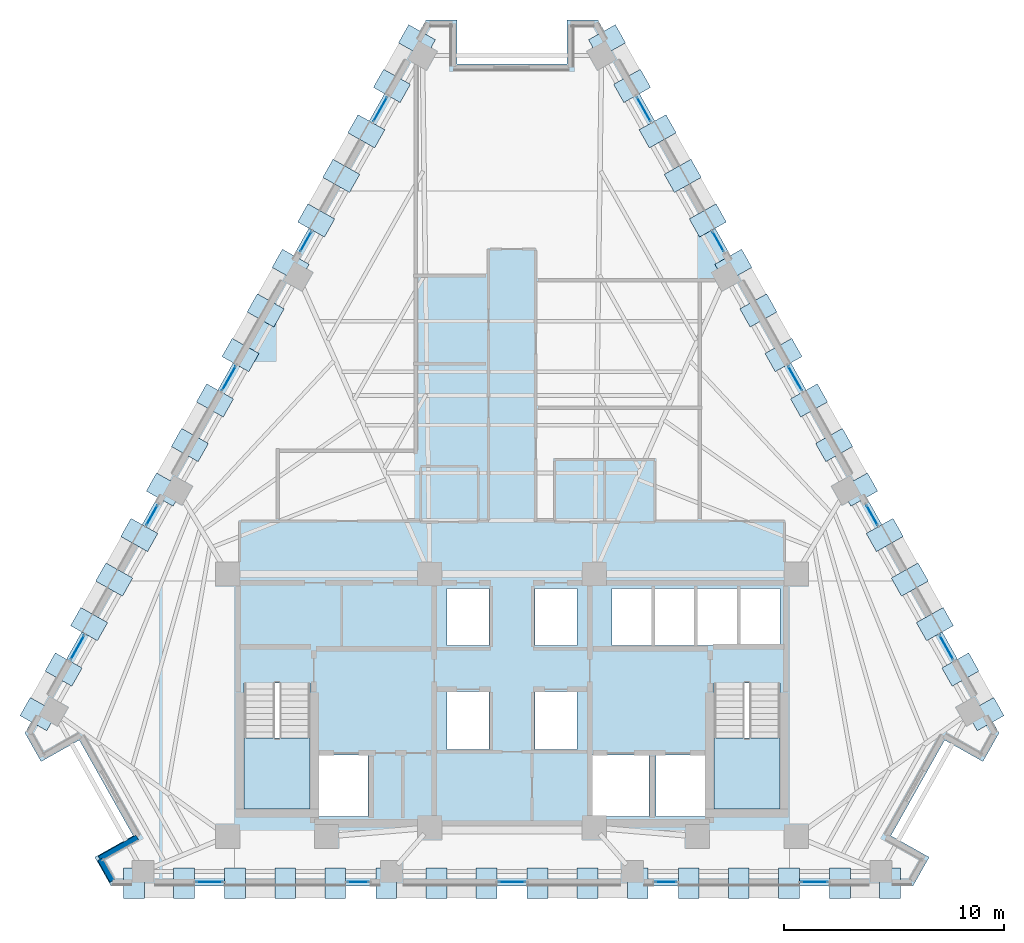
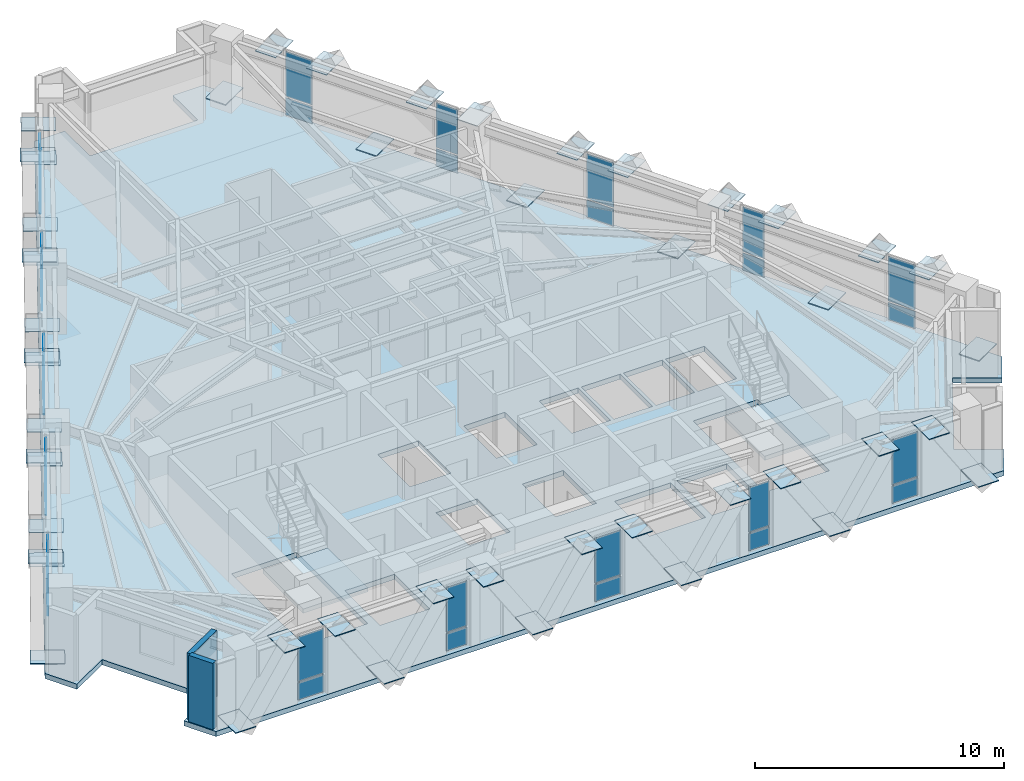
# One storey, part 6 of 13: 78 plates, 3 slabs, 2 walls, 17 elements without a shape of their own.
"""IFC4 building model written with IfcOpenShell, lengths in metres."""

import ifcopenshell
import ifcopenshell.guid

model = None  # the IFC model being written
_history = None  # IfcOwnerHistory: only IFC2X3 demands one
_inside = {}  # id of a spatial element -> (the spatial element, [elements in it])
_under = {}  # id of a project, library or spatial element -> (it, [spatial elements below it])
_declared = {}  # id of a project -> (the project, [libraries it declares])
_typed = {}  # id of a type object -> (the type object, [elements of that type])
_made_of = {}  # id of a material, layer set ... -> (it, [elements and type objects made of it])


def new_model(schema):
    """Start an empty IFC model of exactly this schema.

    Asked for "IFC4X3", IfcOpenShell would pick the latest addendum, in which some entities
    have other attributes; the version numbers below select the first issue.
    IFC2X3 requires an IfcOwnerHistory on every rooted entity: one is made here for all.
    """
    global model, _history
    if schema == "IFC4X3":
        model = ifcopenshell.file(schema_version=(4, 3, 0, 0))
    else:
        model = ifcopenshell.file(schema=schema)
    _inside.clear()
    _under.clear()
    _declared.clear()
    _typed.clear()
    _made_of.clear()
    _history = None
    if model.schema == "IFC2X3":
        org = make("IfcOrganization", Name="unknown")
        user = make(
            "IfcPersonAndOrganization",
            ThePerson=make("IfcPerson", FamilyName="unknown"),
            TheOrganization=org,
        )
        app = make(
            "IfcApplication",
            ApplicationDeveloper=org,
            Version="unknown",
            ApplicationFullName="unknown",
            ApplicationIdentifier="unknown",
        )
        _history = make(
            "IfcOwnerHistory",
            OwningUser=user,
            OwningApplication=app,
            ChangeAction="ADDED",
            CreationDate=0,
        )
    return model


def make(cls, **values):
    """One entity of the class cls with the attributes given. An attribute that is None is left unset."""
    return model.create_entity(
        cls, **{name: value for name, value in values.items() if value is not None}
    )


def rooted(cls, **values):
    """An entity with a GlobalId (a new one), such as an element, a storey or a relation."""
    return make(cls, GlobalId=ifcopenshell.guid.new(), OwnerHistory=_history, **values)


def si_unit(unit_type, name, prefix=None):
    """IfcSIUnit, for example si_unit("LENGTHUNIT", "METRE", prefix="MILLI")."""
    return make("IfcSIUnit", UnitType=unit_type, Prefix=prefix, Name=name)


def assignment(units):
    """IfcUnitAssignment: the units of a project."""
    return None if units is None else make("IfcUnitAssignment", Units=units)


def point(xyz):
    """IfcCartesianPoint."""
    return None if xyz is None else make("IfcCartesianPoint", Coordinates=xyz)


def direction(xyz):
    """IfcDirection."""
    return None if xyz is None else make("IfcDirection", DirectionRatios=xyz)


def frame(location, z_axis=None, x_axis=None):
    """IfcAxis2Placement3D, a coordinate frame: its origin and axes. An axis left out is left unset."""
    return make(
        "IfcAxis2Placement3D",
        Location=point(location),
        Axis=direction(z_axis),
        RefDirection=direction(x_axis),
    )


def frame_2d(location, x_axis=None):
    """IfcAxis2Placement2D, a coordinate frame in the plane: its origin and x axis."""
    return make(
        "IfcAxis2Placement2D", Location=point(location), RefDirection=direction(x_axis)
    )


def origin():
    """The frame at (0, 0, 0) with its axes left unset."""
    return frame((0.0, 0.0, 0.0))


def origin_2d():
    """The frame at (0, 0) in the plane with its x axis left unset."""
    return frame_2d((0.0, 0.0))


def place(relative_to, where):
    """IfcLocalPlacement: puts the frame where relative to a parent placement (None: the world)."""
    return make(
        "IfcLocalPlacement", PlacementRelTo=relative_to, RelativePlacement=where
    )


def context(
    kind, dimensions, precision=None, world=None, true_north=None, identifier=None
):
    """IfcGeometricRepresentationContext, for example the 3D "Model" context."""
    return make(
        "IfcGeometricRepresentationContext",
        ContextIdentifier=identifier,
        ContextType=kind,
        CoordinateSpaceDimension=dimensions,
        Precision=precision,
        WorldCoordinateSystem=world,
        TrueNorth=true_north,
    )


def subcontext(parent, identifier, kind, view, scale=None):
    """IfcGeometricRepresentationSubContext, for example "Body" below "Model"."""
    return make(
        "IfcGeometricRepresentationSubContext",
        ContextIdentifier=identifier,
        ContextType=kind,
        ParentContext=parent,
        TargetScale=scale,
        TargetView=view,
    )


def project(units=None, contexts=None):
    """IfcProject with its units and contexts."""
    return rooted(
        "IfcProject",
        Name="project",
        RepresentationContexts=contexts,
        UnitsInContext=assignment(units),
    )


def spatial(cls, under=None, at=None, **own):
    """A site, building, storey or space (cls), placed at a placement, below another one or the project."""
    s = rooted(cls, ObjectPlacement=at, **own)
    if under is not None:
        _under.setdefault(under.id(), (under, []))[1].append(s)
    return s


def polyline(points):
    """IfcPolyline through the points."""
    return make("IfcPolyline", Points=[point(p) for p in points])


def profile(cls, at=None, kind="AREA", **sizes):
    """A parametric profile (cls). Its sizes go by their IFC names, for example OverallWidth=200.0."""
    return make(cls, ProfileType=kind, Position=at, **sizes)


def rectangle(**sizes):
    """IfcRectangleProfileDef."""
    return profile("IfcRectangleProfileDef", **sizes)


def outline(outer, holes=None, kind="AREA"):
    """IfcArbitraryClosedProfileDef: a profile drawn as a closed curve; with holes, ...WithVoids."""
    if holes is None:
        return make("IfcArbitraryClosedProfileDef", ProfileType=kind, OuterCurve=outer)
    return make(
        "IfcArbitraryProfileDefWithVoids",
        ProfileType=kind,
        OuterCurve=outer,
        InnerCurves=holes,
    )


def extrude(swept, where, along, depth):
    """IfcExtrudedAreaSolid: the profile swept, set in the frame where, extruded along a direction by depth."""
    return make(
        "IfcExtrudedAreaSolid",
        SweptArea=swept,
        Position=where,
        ExtrudedDirection=direction(along),
        Depth=depth,
    )


def shape(context_of_items, identifier, shape_type, items):
    """IfcShapeRepresentation: the items that make up one representation, for example the "Body"."""
    return make(
        "IfcShapeRepresentation",
        ContextOfItems=context_of_items,
        RepresentationIdentifier=identifier,
        RepresentationType=shape_type,
        Items=items,
    )


def material(Name=None, Category=None):
    """IfcMaterial."""
    return make("IfcMaterial", Name=Name, Category=Category)


def layer(
    of_material, thickness, ventilated=None, Name=None, Category=None, Priority=None
):
    """IfcMaterialLayer: one layer of a wall or slab, of a material (None: an air gap)."""
    return make(
        "IfcMaterialLayer",
        Material=of_material,
        LayerThickness=thickness,
        IsVentilated=ventilated,
        Name=Name,
        Category=Category,
        Priority=Priority,
    )


def layer_set(layers, Name=None):
    """IfcMaterialLayerSet."""
    return make("IfcMaterialLayerSet", MaterialLayers=layers, LayerSetName=Name)


def made_of(thing, what):
    """Note that an element or type object is made of a material, layer set ...; save() writes the relation."""
    if what is not None:
        _made_of.setdefault(what.id(), (what, []))[1].append(thing)
    return thing


def type_object(cls, material=None, **own):
    """A type object (cls), such as IfcWallType, which elements share."""
    return made_of(rooted(cls, **own), material)


def element(
    cls,
    number,
    at=None,
    inside=None,
    cuts=None,
    type_object=None,
    material=None,
    context=None,
    identifier="Body",
    shape_type=None,
    held_by="IfcProductDefinitionShape",
    body=None,
    shapes=None,
    **own,
):
    """One element of the class cls, such as IfcWall. Its Tag is "e" and its number.

    at: its placement. inside: the storey or other place that contains it. cuts: it is an
    opening in that element (IfcRelVoidsElement). A single representation is given by context,
    identifier, shape_type and body (its items); several are given by shapes. held_by: the class
    of the entity that holds the representations. save() writes the other relations.
    """
    e = rooted(cls, Tag="e%d" % number, ObjectPlacement=at, **own)
    if body is not None:
        shapes = [shape(context, identifier, shape_type, body)]
    if shapes is not None:
        e.Representation = make(held_by, Representations=shapes)
    if inside is not None:
        _inside.setdefault(inside.id(), (inside, []))[1].append(e)
    if cuts is not None:
        rooted(
            "IfcRelVoidsElement", RelatingBuildingElement=cuts, RelatedOpeningElement=e
        )
    if type_object is not None:
        _typed.setdefault(type_object.id(), (type_object, []))[1].append(e)
    return made_of(e, material)


def aggregate(whole, parts):
    """IfcRelAggregates: a whole, such as a stair, and the parts it consists of."""
    return rooted("IfcRelAggregates", RelatingObject=whole, RelatedObjects=parts)


def save(model, path):
    """Write the relations noted so far, then the file.

    IfcRelAggregates (storeys below a building ...), IfcRelContainedInSpatialStructure (elements
    in a storey), IfcRelDefinesByType, IfcRelAssociatesMaterial and IfcRelDeclares: one each for
    every whole, place, type object, material and project.
    """
    for whole, parts in _under.values():
        aggregate(whole, parts)
    for where, things in _inside.values():
        rooted(
            "IfcRelContainedInSpatialStructure",
            RelatedElements=things,
            RelatingStructure=where,
        )
    for kind, things in _typed.values():
        rooted("IfcRelDefinesByType", RelatedObjects=things, RelatingType=kind)
    for what, things in _made_of.values():
        rooted("IfcRelAssociatesMaterial", RelatedObjects=things, RelatingMaterial=what)
    for by, libraries in _declared.values():
        rooted("IfcRelDeclares", RelatingContext=by, RelatedDefinitions=libraries)
    model.write(path)


model = new_model("IFC4")

# Units and contexts
model_context = context("Model", 3, precision=1e-05, world=origin(), true_north=direction((0.0, 1.0)))
body_context = subcontext(model_context, "Body", "Model", "MODEL_VIEW")
ifc_project = project(units=[si_unit("LENGTHUNIT", "METRE"), si_unit("AREAUNIT", "SQUARE_METRE"), si_unit("VOLUMEUNIT", "CUBIC_METRE"), si_unit("PLANEANGLEUNIT", "RADIAN"), si_unit("MASSUNIT", "GRAM", prefix="KILO")], contexts=[model_context])

# Site, building, storey
site_placement = place(None, origin())
site = spatial("IfcSite", under=ifc_project, at=site_placement, CompositionType="ELEMENT")
building_placement = place(site_placement, origin())
building = spatial("IfcBuilding", under=site, at=building_placement, Name="Quenlor Broadcast Tower", CompositionType="ELEMENT")
storey_placement = place(building_placement, frame((0.0, 0.0, 151.0)))
storey = spatial("IfcBuildingStorey", under=building, at=storey_placement, Name="L41", CompositionType="ELEMENT", Elevation=151.0)

# Curtain wall, plates
ifc_material_1 = material(Name="Architectural Terracotta and Low-E Glazing", Category="masonry")
curtain_wall_type = type_object("IfcCurtainWallType", Name="Unitised Terracotta Curtain Wall System Z3", PredefinedType="NOTDEFINED", material=ifc_material_1)
curtain_wall_1_placement = place(storey_placement, origin())
curtain_wall_1 = element("IfcCurtainWall", 1, at=curtain_wall_1_placement, inside=storey, type_object=curtain_wall_type, Name="L41 Curtain Wall CW3 (L41-SA-G1)", PredefinedType="NOTDEFINED")
ifc_material_2 = material(Name="Double Glazed Low-E Solar Glass", Category="glass")
ifc_layer_1 = layer(ifc_material_2, 0.028076171875)
ifc_layer_set_1 = layer_set([ifc_layer_1], Name="CW3 Double Glazed Vision Panel 28")
plate_type_1 = type_object("IfcPlateType", Name="CW3 Double Glazed Vision Panel 28", PredefinedType="CURTAIN_PANEL", material=ifc_layer_set_1)
plate_1_placement = place(storey_placement, frame((13.77587890625, -18.824951171875, 0.06982421875), z_axis=(0.0, 0.0, 1.0), x_axis=(-1.0, 0.0, 0.0)))
plate_1 = element("IfcPlate", 2, at=plate_1_placement, type_object=plate_type_1, Name="CW3 panel 1.1", PredefinedType="CURTAIN_PANEL", context=body_context, shape_type="SweptSolid", body=[
    extrude(rectangle(XDim=1.197998046875, YDim=0.028076171875, at=origin_2d()), origin(), (0.0, 0.0, 1.0), 0.844970703125),
])
plate_2_placement = place(storey_placement, frame((13.77587890625, -18.824951171875, 0.98486328125), z_axis=(0.0, 0.0, 1.0), x_axis=(-1.0, 0.0, 0.0)))
plate_2 = element("IfcPlate", 3, at=plate_2_placement, type_object=plate_type_1, Name="CW3 panel 1.2", PredefinedType="CURTAIN_PANEL", context=body_context, shape_type="SweptSolid", body=[
    extrude(rectangle(XDim=1.197998046875, YDim=0.028076171875, at=origin_2d()), origin(), (0.0, 0.0, 1.0), 2.195068359375),
])
aggregate(curtain_wall_1, [plate_1, plate_2])

curtain_wall_2_placement = place(storey_placement, origin())
curtain_wall_2 = element("IfcCurtainWall", 4, at=curtain_wall_2_placement, inside=storey, type_object=curtain_wall_type, Name="L41 Curtain Wall CW3 (L41-SA-G2)", PredefinedType="NOTDEFINED")
plate_3_placement = place(storey_placement, frame((7.011474609375, -18.824951171875, 0.06982421875), z_axis=(0.0, 0.0, 1.0), x_axis=(-1.0, 0.0, 0.0)))
plate_3 = element("IfcPlate", 5, at=plate_3_placement, type_object=plate_type_1, Name="CW3 panel 1.1", PredefinedType="CURTAIN_PANEL", context=body_context, shape_type="SweptSolid", body=[
    extrude(rectangle(XDim=0.950927734375, YDim=0.028076171875, at=origin_2d()), origin(), (0.0, 0.0, 1.0), 0.844970703125),
])
plate_4_placement = place(storey_placement, frame((7.011474609375, -18.824951171875, 0.98486328125), z_axis=(0.0, 0.0, 1.0), x_axis=(-1.0, 0.0, 0.0)))
plate_4 = element("IfcPlate", 6, at=plate_4_placement, type_object=plate_type_1, Name="CW3 panel 1.2", PredefinedType="CURTAIN_PANEL", context=body_context, shape_type="SweptSolid", body=[
    extrude(rectangle(XDim=0.950927734375, YDim=0.028076171875, at=origin_2d()), origin(), (0.0, 0.0, 1.0), 2.195068359375),
])
aggregate(curtain_wall_2, [plate_3, plate_4])

curtain_wall_3_placement = place(storey_placement, origin())
curtain_wall_3 = element("IfcCurtainWall", 7, at=curtain_wall_3_placement, inside=storey, type_object=curtain_wall_type, Name="L41 Curtain Wall CW3 (L41-SC-G1)", PredefinedType="NOTDEFINED")
plate_5_placement = place(storey_placement, frame((-7.011474609375, -18.824951171875, 0.06982421875), z_axis=(0.0, 0.0, 1.0), x_axis=(-1.0, 0.0, 0.0)))
plate_5 = element("IfcPlate", 8, at=plate_5_placement, type_object=plate_type_1, Name="CW3 panel 1.1", PredefinedType="CURTAIN_PANEL", context=body_context, shape_type="SweptSolid", body=[
    extrude(rectangle(XDim=0.950927734375, YDim=0.028076171875, at=origin_2d()), origin(), (0.0, 0.0, 1.0), 0.844970703125),
])
plate_6_placement = place(storey_placement, frame((-7.011474609375, -18.824951171875, 0.98486328125), z_axis=(0.0, 0.0, 1.0), x_axis=(-1.0, 0.0, 0.0)))
plate_6 = element("IfcPlate", 9, at=plate_6_placement, type_object=plate_type_1, Name="CW3 panel 1.2", PredefinedType="CURTAIN_PANEL", context=body_context, shape_type="SweptSolid", body=[
    extrude(rectangle(XDim=0.950927734375, YDim=0.028076171875, at=origin_2d()), origin(), (0.0, 0.0, 1.0), 2.195068359375),
])
aggregate(curtain_wall_3, [plate_5, plate_6])

curtain_wall_4_placement = place(storey_placement, origin())
curtain_wall_4 = element("IfcCurtainWall", 10, at=curtain_wall_4_placement, inside=storey, type_object=curtain_wall_type, Name="L41 Curtain Wall CW3 (L41-SC-G2)", PredefinedType="NOTDEFINED")
plate_7_placement = place(storey_placement, frame((-13.77587890625, -18.824951171875, 0.06982421875), z_axis=(0.0, 0.0, 1.0), x_axis=(-1.0, 0.0, 0.0)))
plate_7 = element("IfcPlate", 11, at=plate_7_placement, type_object=plate_type_1, Name="CW3 panel 1.1", PredefinedType="CURTAIN_PANEL", context=body_context, shape_type="SweptSolid", body=[
    extrude(rectangle(XDim=1.197998046875, YDim=0.028076171875, at=origin_2d()), origin(), (0.0, 0.0, 1.0), 0.844970703125),
])
plate_8_placement = place(storey_placement, frame((-13.77587890625, -18.824951171875, 0.98486328125), z_axis=(0.0, 0.0, 1.0), x_axis=(-1.0, 0.0, 0.0)))
plate_8 = element("IfcPlate", 12, at=plate_8_placement, type_object=plate_type_1, Name="CW3 panel 1.2", PredefinedType="CURTAIN_PANEL", context=body_context, shape_type="SweptSolid", body=[
    extrude(rectangle(XDim=1.197998046875, YDim=0.028076171875, at=origin_2d()), origin(), (0.0, 0.0, 1.0), 2.195068359375),
])
aggregate(curtain_wall_4, [plate_7, plate_8])

curtain_wall_5_placement = place(storey_placement, origin())
curtain_wall_5 = element("IfcCurtainWall", 13, at=curtain_wall_5_placement, inside=storey, type_object=curtain_wall_type, Name="L41 Curtain Wall CW3 (L41-S-G1)", PredefinedType="NOTDEFINED")
plate_9_placement = place(storey_placement, frame((0.0, -18.824951171875, 0.06982421875), z_axis=(0.0, 0.0, 1.0), x_axis=(-1.0, 0.0, 0.0)))
plate_9 = element("IfcPlate", 14, at=plate_9_placement, type_object=plate_type_1, Name="CW3 panel 1.1", PredefinedType="CURTAIN_PANEL", context=body_context, shape_type="SweptSolid", body=[
    extrude(rectangle(XDim=1.197998046875, YDim=0.028076171875, at=origin_2d()), origin(), (0.0, 0.0, 1.0), 0.844970703125),
])
plate_10_placement = place(storey_placement, frame((0.0, -18.824951171875, 0.98486328125), z_axis=(0.0, 0.0, 1.0), x_axis=(-1.0, 0.0, 0.0)))
plate_10 = element("IfcPlate", 15, at=plate_10_placement, type_object=plate_type_1, Name="CW3 panel 1.2", PredefinedType="CURTAIN_PANEL", context=body_context, shape_type="SweptSolid", body=[
    extrude(rectangle(XDim=1.197998046875, YDim=0.028076171875, at=origin_2d()), origin(), (0.0, 0.0, 1.0), 2.195068359375),
])
aggregate(curtain_wall_5, [plate_9, plate_10])

curtain_wall_6_placement = place(storey_placement, origin())
curtain_wall_6 = element("IfcCurtainWall", 16, at=curtain_wall_6_placement, inside=storey, type_object=curtain_wall_type, Name="L41 Curtain Wall CW3 (L41-NEA-G1)", PredefinedType="NOTDEFINED")
plate_11_placement = place(storey_placement, frame((6.00146484375, 16.3740234375, 0.06982421875), z_axis=(0.0, 0.0, 1.0), x_axis=(0.490230492916, -0.871592831439, 0.0)))
plate_11 = element("IfcPlate", 17, at=plate_11_placement, type_object=plate_type_1, Name="CW3 panel 1.1", PredefinedType="CURTAIN_PANEL", context=body_context, shape_type="SweptSolid", body=[
    extrude(rectangle(XDim=1.249755859375, YDim=0.028076171875, at=origin_2d()), origin(), (0.0, 0.0, 1.0), 0.844970703125),
])
plate_12_placement = place(storey_placement, frame((6.00146484375, 16.3740234375, 0.98486328125), z_axis=(0.0, 0.0, 1.0), x_axis=(0.490230492916, -0.871592831439, 0.0)))
plate_12 = element("IfcPlate", 18, at=plate_12_placement, type_object=plate_type_1, Name="CW3 panel 1.2", PredefinedType="CURTAIN_PANEL", context=body_context, shape_type="SweptSolid", body=[
    extrude(rectangle(XDim=1.249755859375, YDim=0.028076171875, at=origin_2d()), origin(), (0.0, 0.0, 1.0), 2.195068359375),
])
aggregate(curtain_wall_6, [plate_11, plate_12])

curtain_wall_7_placement = place(storey_placement, origin())
curtain_wall_7 = element("IfcCurtainWall", 19, at=curtain_wall_7_placement, inside=storey, type_object=curtain_wall_type, Name="L41 Curtain Wall CW3 (L41-NEA-G2)", PredefinedType="NOTDEFINED")
plate_13_placement = place(storey_placement, frame((9.391357421875, 10.34716796875, 0.06982421875), z_axis=(0.0, 0.0, 1.0), x_axis=(0.490215950125, -0.871601010924, 0.0)))
plate_13 = element("IfcPlate", 20, at=plate_13_placement, type_object=plate_type_1, Name="CW3 panel 1.1", PredefinedType="CURTAIN_PANEL", context=body_context, shape_type="SweptSolid", body=[
    extrude(rectangle(XDim=1.01318359375, YDim=0.028076171875, at=origin_2d()), origin(), (0.0, 0.0, 1.0), 0.844970703125),
])
plate_14_placement = place(storey_placement, frame((9.391357421875, 10.34716796875, 0.98486328125), z_axis=(0.0, 0.0, 1.0), x_axis=(0.490215950125, -0.871601010924, 0.0)))
plate_14 = element("IfcPlate", 21, at=plate_14_placement, type_object=plate_type_1, Name="CW3 panel 1.2", PredefinedType="CURTAIN_PANEL", context=body_context, shape_type="SweptSolid", body=[
    extrude(rectangle(XDim=1.01318359375, YDim=0.028076171875, at=origin_2d()), origin(), (0.0, 0.0, 1.0), 2.195068359375),
])
aggregate(curtain_wall_7, [plate_13, plate_14])

curtain_wall_8_placement = place(storey_placement, origin())
curtain_wall_8 = element("IfcCurtainWall", 22, at=curtain_wall_8_placement, inside=storey, type_object=curtain_wall_type, Name="L41 Curtain Wall CW3 (L41-NEC-G1)", PredefinedType="NOTDEFINED")
plate_15_placement = place(storey_placement, frame((16.403564453125, -2.118896484375, 0.06982421875), z_axis=(0.0, 0.0, 1.0), x_axis=(0.490253004657, -0.871580169247, 0.0)))
plate_15 = element("IfcPlate", 23, at=plate_15_placement, type_object=plate_type_1, Name="CW3 panel 1.1", PredefinedType="CURTAIN_PANEL", context=body_context, shape_type="SweptSolid", body=[
    extrude(rectangle(XDim=1.01318359375, YDim=0.028076171875, at=origin_2d()), origin(), (0.0, 0.0, 1.0), 0.844970703125),
])
plate_16_placement = place(storey_placement, frame((16.403564453125, -2.118896484375, 0.98486328125), z_axis=(0.0, 0.0, 1.0), x_axis=(0.490253004657, -0.871580169247, 0.0)))
plate_16 = element("IfcPlate", 24, at=plate_16_placement, type_object=plate_type_1, Name="CW3 panel 1.2", PredefinedType="CURTAIN_PANEL", context=body_context, shape_type="SweptSolid", body=[
    extrude(rectangle(XDim=1.01318359375, YDim=0.028076171875, at=origin_2d()), origin(), (0.0, 0.0, 1.0), 2.195068359375),
])
aggregate(curtain_wall_8, [plate_15, plate_16])

curtain_wall_9_placement = place(storey_placement, origin())
curtain_wall_9 = element("IfcCurtainWall", 25, at=curtain_wall_9_placement, inside=storey, type_object=curtain_wall_type, Name="L41 Curtain Wall CW3 (L41-NEC-G2)", PredefinedType="NOTDEFINED")
plate_17_placement = place(storey_placement, frame((19.793701171875, -8.145751953125, 0.06982421875), z_axis=(0.0, 0.0, 1.0), x_axis=(0.490261239636, -0.871575537123, 0.0)))
plate_17 = element("IfcPlate", 26, at=plate_17_placement, type_object=plate_type_1, Name="CW3 panel 1.1", PredefinedType="CURTAIN_PANEL", context=body_context, shape_type="SweptSolid", body=[
    extrude(rectangle(XDim=1.249755859375, YDim=0.028076171875, at=origin_2d()), origin(), (0.0, 0.0, 1.0), 0.844970703125),
])
plate_18_placement = place(storey_placement, frame((19.793701171875, -8.145751953125, 0.98486328125), z_axis=(0.0, 0.0, 1.0), x_axis=(0.490261239636, -0.871575537123, 0.0)))
plate_18 = element("IfcPlate", 27, at=plate_18_placement, type_object=plate_type_1, Name="CW3 panel 1.2", PredefinedType="CURTAIN_PANEL", context=body_context, shape_type="SweptSolid", body=[
    extrude(rectangle(XDim=1.249755859375, YDim=0.028076171875, at=origin_2d()), origin(), (0.0, 0.0, 1.0), 2.195068359375),
])
aggregate(curtain_wall_9, [plate_17, plate_18])

curtain_wall_10_placement = place(storey_placement, origin())
curtain_wall_10 = element("IfcCurtainWall", 28, at=curtain_wall_10_placement, inside=storey, type_object=curtain_wall_type, Name="L41 Curtain Wall CW3 (L41-NE-G1)", PredefinedType="NOTDEFINED")
plate_19_placement = place(storey_placement, frame((12.8974609375, 4.1142578125, 0.06982421875), z_axis=(0.0, 0.0, 1.0), x_axis=(0.490285152484, -0.871562085714, 0.0)))
plate_19 = element("IfcPlate", 29, at=plate_19_placement, type_object=plate_type_1, Name="CW3 panel 1.1", PredefinedType="CURTAIN_PANEL", context=body_context, shape_type="SweptSolid", body=[
    extrude(rectangle(XDim=1.249755859375, YDim=0.028076171875, at=origin_2d()), origin(), (0.0, 0.0, 1.0), 0.844970703125),
])
plate_20_placement = place(storey_placement, frame((12.8974609375, 4.1142578125, 0.98486328125), z_axis=(0.0, 0.0, 1.0), x_axis=(0.490285152484, -0.871562085714, 0.0)))
plate_20 = element("IfcPlate", 30, at=plate_20_placement, type_object=plate_type_1, Name="CW3 panel 1.2", PredefinedType="CURTAIN_PANEL", context=body_context, shape_type="SweptSolid", body=[
    extrude(rectangle(XDim=1.249755859375, YDim=0.028076171875, at=origin_2d()), origin(), (0.0, 0.0, 1.0), 2.195068359375),
])
aggregate(curtain_wall_10, [plate_19, plate_20])

curtain_wall_11_placement = place(storey_placement, origin())
curtain_wall_11 = element("IfcCurtainWall", 31, at=curtain_wall_11_placement, inside=storey, type_object=curtain_wall_type, Name="L41 Curtain Wall CW3 (L41-NWA-G1)", PredefinedType="NOTDEFINED")
plate_21_placement = place(storey_placement, frame((-19.793701171875, -8.145751953125, 0.06982421875), z_axis=(0.0, 0.0, 1.0), x_axis=(0.490261239636, 0.871575537123, 0.0)))
plate_21 = element("IfcPlate", 32, at=plate_21_placement, type_object=plate_type_1, Name="CW3 panel 1.1", PredefinedType="CURTAIN_PANEL", context=body_context, shape_type="SweptSolid", body=[
    extrude(rectangle(XDim=1.249755859375, YDim=0.028076171875, at=origin_2d()), origin(), (0.0, 0.0, 1.0), 0.844970703125),
])
plate_22_placement = place(storey_placement, frame((-19.793701171875, -8.145751953125, 0.98486328125), z_axis=(0.0, 0.0, 1.0), x_axis=(0.490261239636, 0.871575537123, 0.0)))
plate_22 = element("IfcPlate", 33, at=plate_22_placement, type_object=plate_type_1, Name="CW3 panel 1.2", PredefinedType="CURTAIN_PANEL", context=body_context, shape_type="SweptSolid", body=[
    extrude(rectangle(XDim=1.249755859375, YDim=0.028076171875, at=origin_2d()), origin(), (0.0, 0.0, 1.0), 2.195068359375),
])
aggregate(curtain_wall_11, [plate_21, plate_22])

curtain_wall_12_placement = place(storey_placement, origin())
curtain_wall_12 = element("IfcCurtainWall", 34, at=curtain_wall_12_placement, inside=storey, type_object=curtain_wall_type, Name="L41 Curtain Wall CW3 (L41-NWA-G2)", PredefinedType="NOTDEFINED")
plate_23_placement = place(storey_placement, frame((-16.403564453125, -2.118896484375, 0.06982421875), z_axis=(0.0, 0.0, 1.0), x_axis=(0.490253004657, 0.871580169247, 0.0)))
plate_23 = element("IfcPlate", 35, at=plate_23_placement, type_object=plate_type_1, Name="CW3 panel 1.1", PredefinedType="CURTAIN_PANEL", context=body_context, shape_type="SweptSolid", body=[
    extrude(rectangle(XDim=1.01318359375, YDim=0.028076171875, at=origin_2d()), origin(), (0.0, 0.0, 1.0), 0.844970703125),
])
plate_24_placement = place(storey_placement, frame((-16.403564453125, -2.118896484375, 0.98486328125), z_axis=(0.0, 0.0, 1.0), x_axis=(0.490253004657, 0.871580169247, 0.0)))
plate_24 = element("IfcPlate", 36, at=plate_24_placement, type_object=plate_type_1, Name="CW3 panel 1.2", PredefinedType="CURTAIN_PANEL", context=body_context, shape_type="SweptSolid", body=[
    extrude(rectangle(XDim=1.01318359375, YDim=0.028076171875, at=origin_2d()), origin(), (0.0, 0.0, 1.0), 2.195068359375),
])
aggregate(curtain_wall_12, [plate_23, plate_24])

curtain_wall_13_placement = place(storey_placement, origin())
curtain_wall_13 = element("IfcCurtainWall", 37, at=curtain_wall_13_placement, inside=storey, type_object=curtain_wall_type, Name="L41 Curtain Wall CW3 (L41-NWC-G1)", PredefinedType="NOTDEFINED")
plate_25_placement = place(storey_placement, frame((-9.391357421875, 10.34716796875, 0.06982421875), z_axis=(0.0, 0.0, 1.0), x_axis=(0.490215950125, 0.871601010924, 0.0)))
plate_25 = element("IfcPlate", 38, at=plate_25_placement, type_object=plate_type_1, Name="CW3 panel 1.1", PredefinedType="CURTAIN_PANEL", context=body_context, shape_type="SweptSolid", body=[
    extrude(rectangle(XDim=1.01318359375, YDim=0.028076171875, at=origin_2d()), origin(), (0.0, 0.0, 1.0), 0.844970703125),
])
plate_26_placement = place(storey_placement, frame((-9.391357421875, 10.34716796875, 0.98486328125), z_axis=(0.0, 0.0, 1.0), x_axis=(0.490215950125, 0.871601010924, 0.0)))
plate_26 = element("IfcPlate", 39, at=plate_26_placement, type_object=plate_type_1, Name="CW3 panel 1.2", PredefinedType="CURTAIN_PANEL", context=body_context, shape_type="SweptSolid", body=[
    extrude(rectangle(XDim=1.01318359375, YDim=0.028076171875, at=origin_2d()), origin(), (0.0, 0.0, 1.0), 2.195068359375),
])
aggregate(curtain_wall_13, [plate_25, plate_26])

curtain_wall_14_placement = place(storey_placement, origin())
curtain_wall_14 = element("IfcCurtainWall", 40, at=curtain_wall_14_placement, inside=storey, type_object=curtain_wall_type, Name="L41 Curtain Wall CW3 (L41-NWC-G2)", PredefinedType="NOTDEFINED")
plate_27_placement = place(storey_placement, frame((-6.00146484375, 16.3740234375, 0.06982421875), z_axis=(0.0, 0.0, 1.0), x_axis=(0.490230492916, 0.871592831439, 0.0)))
plate_27 = element("IfcPlate", 41, at=plate_27_placement, type_object=plate_type_1, Name="CW3 panel 1.1", PredefinedType="CURTAIN_PANEL", context=body_context, shape_type="SweptSolid", body=[
    extrude(rectangle(XDim=1.249755859375, YDim=0.028076171875, at=origin_2d()), origin(), (0.0, 0.0, 1.0), 0.844970703125),
])
plate_28_placement = place(storey_placement, frame((-6.00146484375, 16.3740234375, 0.98486328125), z_axis=(0.0, 0.0, 1.0), x_axis=(0.490230492916, 0.871592831439, 0.0)))
plate_28 = element("IfcPlate", 42, at=plate_28_placement, type_object=plate_type_1, Name="CW3 panel 1.2", PredefinedType="CURTAIN_PANEL", context=body_context, shape_type="SweptSolid", body=[
    extrude(rectangle(XDim=1.249755859375, YDim=0.028076171875, at=origin_2d()), origin(), (0.0, 0.0, 1.0), 2.195068359375),
])
aggregate(curtain_wall_14, [plate_27, plate_28])

curtain_wall_15_placement = place(storey_placement, origin())
curtain_wall_15 = element("IfcCurtainWall", 43, at=curtain_wall_15_placement, inside=storey, type_object=curtain_wall_type, Name="L41 Curtain Wall CW3 (L41-NW-G1)", PredefinedType="NOTDEFINED")
plate_29_placement = place(storey_placement, frame((-12.8974609375, 4.1142578125, 0.06982421875), z_axis=(0.0, 0.0, 1.0), x_axis=(0.490285152484, 0.871562085714, 0.0)))
plate_29 = element("IfcPlate", 44, at=plate_29_placement, type_object=plate_type_1, Name="CW3 panel 1.1", PredefinedType="CURTAIN_PANEL", context=body_context, shape_type="SweptSolid", body=[
    extrude(rectangle(XDim=1.249755859375, YDim=0.028076171875, at=origin_2d()), origin(), (0.0, 0.0, 1.0), 0.844970703125),
])
plate_30_placement = place(storey_placement, frame((-12.8974609375, 4.1142578125, 0.98486328125), z_axis=(0.0, 0.0, 1.0), x_axis=(0.490285152484, 0.871562085714, 0.0)))
plate_30 = element("IfcPlate", 45, at=plate_30_placement, type_object=plate_type_1, Name="CW3 panel 1.2", PredefinedType="CURTAIN_PANEL", context=body_context, shape_type="SweptSolid", body=[
    extrude(rectangle(XDim=1.249755859375, YDim=0.028076171875, at=origin_2d()), origin(), (0.0, 0.0, 1.0), 2.195068359375),
])
aggregate(curtain_wall_15, [plate_29, plate_30])

# Stair, slab
ifc_material_3 = material(Name="Precast concrete C40/50", Category="concrete")
stair_type = type_object("IfcStairType", Name="Precast Concrete C40/50 Dogleg Stair H350", PredefinedType="HALF_TURN_STAIR", material=ifc_material_3)
stair_1_placement = place(storey_placement, origin())
stair_1 = element("IfcStair", 46, at=stair_1_placement, inside=storey, type_object=stair_type, Name="L41 West Core Fire-Isolated Exit Stair ST-1", PredefinedType="HALF_TURN_STAIR")
ifc_material_4 = material(Name="Precast concrete C40/50", Category="concrete")
ifc_layer_2 = layer(ifc_material_4, 0.199951171875)
ifc_layer_set_2 = layer_set([ifc_layer_2], Name="Precast Concrete C40/50 Stair Landing Slab 200")
slab_type_1 = type_object("IfcSlabType", Name="Precast Concrete C40/50 Stair Landing Slab 200", PredefinedType="LANDING", material=ifc_layer_set_2)
slab_1_placement = place(storey_placement, frame((0.0, 0.0, 1.550048828125)))
slab_1 = element("IfcSlab", 47, at=slab_1_placement, type_object=slab_type_1, Name="ST-1 landing 1", PredefinedType="LANDING", context=body_context, shape_type="SweptSolid", body=[
    extrude(outline(polyline([(-12.199951171875, -12.27001953125), (-12.199951171875, -15.5), (-9.199951171875, -15.5), (-9.199951171875, -12.27001953125), (-12.199951171875, -12.27001953125)])), origin(), (0.0, 0.0, 1.0), 0.199951171875),
])
aggregate(stair_1, [slab_1])

stair_2_placement = place(storey_placement, origin())
stair_2 = element("IfcStair", 48, at=stair_2_placement, inside=storey, type_object=stair_type, Name="L41 East Core Fire-Isolated Exit Stair ST-2", PredefinedType="HALF_TURN_STAIR")
slab_2_placement = place(storey_placement, frame((0.0, 0.0, 1.550048828125)))
slab_2 = element("IfcSlab", 49, at=slab_2_placement, type_object=slab_type_1, Name="ST-2 landing 1", PredefinedType="LANDING", context=body_context, shape_type="SweptSolid", body=[
    extrude(outline(polyline([(9.199951171875, -12.27001953125), (9.199951171875, -15.5), (12.199951171875, -15.5), (12.199951171875, -12.27001953125), (9.199951171875, -12.27001953125)])), origin(), (0.0, 0.0, 1.0), 0.199951171875),
])
aggregate(stair_2, [slab_2])

# Slab
ifc_material_5 = material(Name="Concrete C40/50", Category="concrete")
ifc_layer_3 = layer(ifc_material_5, 0.25)
ifc_layer_set_3 = layer_set([ifc_layer_3], Name="Tower Composite Concrete C40/50 Slab 250")
slab_type_2 = type_object("IfcSlabType", Name="Tower Composite Concrete C40/50 Slab 250", PredefinedType="FLOOR", material=ifc_layer_set_3)
slab_3_placement = place(storey_placement, frame((0.0, 0.0, -0.25)))
element("IfcSlab", 50, at=slab_3_placement, inside=storey, type_object=slab_type_2, Name="L41 Structural Floor Slab", PredefinedType="FLOOR", context=body_context, shape_type="SweptSolid", body=[
    extrude(outline(polyline([(18.27001953125, -19.0), (19.001708984375, -17.698974609375), (17.2587890625, -16.718505859375), (19.7099609375, -12.360595703125), (21.453125, -13.341064453125), (22.18505859375, -12.0400390625), (3.9150390625, 20.43994140625), (2.5, 20.43994140625), (2.5, 18.43994140625), (-2.5, 18.43994140625), (-2.5, 20.43994140625), (-3.9150390625, 20.43994140625), (-22.18505859375, -12.0400390625), (-21.453125, -13.341064453125), (-19.7099609375, -12.360595703125), (-17.2587890625, -16.718505859375), (-19.001708984375, -17.698974609375), (-18.27001953125, -19.0), (18.27001953125, -19.0)]), holes=[polyline([(-12.199951171875, -9.758056640625), (-12.199951171875, -15.5), (-9.199951171875, -15.5), (-9.199951171875, -9.758056640625), (-12.199951171875, -9.758056640625)]), polyline([(9.199951171875, -9.758056640625), (9.199951171875, -15.5), (12.199951171875, -15.5), (12.199951171875, -9.758056640625), (9.199951171875, -9.758056640625)]), polyline([(-2.949951171875, -8.050048828125), (-1.050048828125, -8.050048828125), (-1.050048828125, -5.449951171875), (-2.949951171875, -5.449951171875), (-2.949951171875, -8.050048828125)]), polyline([(1.050048828125, -8.050048828125), (2.949951171875, -8.050048828125), (2.949951171875, -5.449951171875), (1.050048828125, -5.449951171875), (1.050048828125, -8.050048828125)]), polyline([(-2.949951171875, -12.800048828125), (-1.050048828125, -12.800048828125), (-1.050048828125, -10.14990234375), (-2.949951171875, -10.14990234375), (-2.949951171875, -12.800048828125)]), polyline([(1.050048828125, -12.800048828125), (2.949951171875, -12.800048828125), (2.949951171875, -10.14990234375), (1.050048828125, -10.14990234375), (1.050048828125, -12.800048828125)]), polyline([(4.550048828125, -8.050048828125), (6.35009765625, -8.050048828125), (6.35009765625, -5.449951171875), (4.550048828125, -5.449951171875), (4.550048828125, -8.050048828125)]), polyline([(6.5, -8.050048828125), (8.300048828125, -8.050048828125), (8.300048828125, -5.449951171875), (6.5, -5.449951171875), (6.5, -8.050048828125)]), polyline([(8.449951171875, -8.050048828125), (10.25, -8.050048828125), (10.25, -5.449951171875), (8.449951171875, -5.449951171875), (8.449951171875, -8.050048828125)]), polyline([(10.39990234375, -8.050048828125), (12.199951171875, -8.050048828125), (12.199951171875, -5.449951171875), (10.39990234375, -5.449951171875), (10.39990234375, -8.050048828125)]), polyline([(-8.85009765625, -15.85009765625), (-6.550048828125, -15.85009765625), (-6.550048828125, -13.050048828125), (-8.85009765625, -13.050048828125), (-8.85009765625, -15.85009765625)]), polyline([(6.550048828125, -15.85009765625), (8.85009765625, -15.85009765625), (8.85009765625, -13.050048828125), (6.550048828125, -13.050048828125), (6.550048828125, -15.85009765625)]), polyline([(3.64990234375, -15.85009765625), (6.25, -15.85009765625), (6.25, -13.050048828125), (3.64990234375, -13.050048828125), (3.64990234375, -15.85009765625)])]), origin(), (0.0, 0.0, 1.0), 0.25),
])

# Plates
ifc_material_6 = material(Name="Steel S355", Category="steel")
ifc_layer_4 = layer(ifc_material_6, 0.035888671875)
ifc_layer_set_4 = layer_set([ifc_layer_4], Name="Transfer Truss Steel S355 Gusset Node Plate 1400x950x36")
plate_type_2 = type_object("IfcPlateType", Name="Transfer Truss Steel S355 Gusset Node Plate 1400x950x36", PredefinedType="SHEET", material=ifc_layer_set_4)
for number, where, z_axis, x_axis, name in (
    (51, (17.219970703125, -18.885009765625, 0.0419921875), (0.0, 0.0, 1.0), (0.0, -1.0, 0.0), "L41 Lattice Tie Gusset Node S-B0"),
    (52, (14.937744140625, -18.885009765625, 3.18212890625), (0.0, 0.0, 1.0), (0.0, -1.0, 0.0), "L41 Lattice Tie Gusset Node S-T1"),
    (53, (10.33203125, -18.885009765625, 0.0419921875), (0.0, 0.0, 1.0), (0.0, -1.0, 0.0), "L41 Lattice Tie Gusset Node S-B3"),
    (54, (12.6142578125, -18.885009765625, 3.18212890625), (0.0, 0.0, 1.0), (0.0, -1.0, 0.0), "L41 Lattice Tie Gusset Node S-T2"),
    (55, (8.0498046875, -18.885009765625, 3.18212890625), (0.0, 0.0, 1.0), (0.0, -1.0, 0.0), "L41 Lattice Tie Gusset Node S-T4"),
    (56, (3.444091796875, -18.885009765625, 0.0419921875), (0.0, 0.0, 1.0), (0.0, -1.0, 0.0), "L41 Lattice Tie Gusset Node S-B6"),
    (57, (5.726318359375, -18.885009765625, 3.18212890625), (0.0, 0.0, 1.0), (0.0, -1.0, 0.0), "L41 Lattice Tie Gusset Node S-T5"),
    (58, (1.161865234375, -18.885009765625, 3.18212890625), (0.0, 0.0, 1.0), (0.0, -1.0, 0.0), "L41 Lattice Tie Gusset Node S-T7"),
    (59, (-3.444091796875, -18.885009765625, 0.0419921875), (0.0, 0.0, 1.0), (0.0, -1.0, 0.0), "L41 Lattice Tie Gusset Node S-B9"),
    (60, (-1.161865234375, -18.885009765625, 3.18212890625), (0.0, 0.0, 1.0), (0.0, -1.0, 0.0), "L41 Lattice Tie Gusset Node S-T8"),
    (61, (-5.726318359375, -18.885009765625, 3.18212890625), (0.0, 0.0, 1.0), (0.0, -1.0, 0.0), "L41 Lattice Tie Gusset Node S-T10"),
    (62, (-10.33203125, -18.885009765625, 0.0419921875), (0.0, 0.0, 1.0), (0.0, -1.0, 0.0), "L41 Lattice Tie Gusset Node S-B12"),
    (63, (-8.0498046875, -18.885009765625, 3.18212890625), (0.0, 0.0, 1.0), (0.0, -1.0, 0.0), "L41 Lattice Tie Gusset Node S-T11"),
    (64, (-12.6142578125, -18.885009765625, 3.18212890625), (0.0, 0.0, 1.0), (0.0, -1.0, 0.0), "L41 Lattice Tie Gusset Node S-T13"),
    (65, (-17.219970703125, -18.885009765625, 0.0419921875), (0.0, 0.0, 1.0), (0.0, -1.0, 0.0), "L41 Lattice Tie Gusset Node S-B15"),
    (66, (-14.937744140625, -18.885009765625, 3.18212890625), (0.0, 0.0, 1.0), (0.0, -1.0, 0.0), "L41 Lattice Tie Gusset Node S-T14"),
    (67, (4.32958984375, 19.468505859375, 0.0419921875), (0.0, 0.0, 1.0), (0.871556314255, 0.490295412055, 0.0), "L41 Lattice Tie Gusset Node NE-B0"),
    (68, (5.471923828125, 17.4375, 3.18212890625), (0.0, 0.0, 1.0), (0.871556314255, 0.490295412055, 0.0), "L41 Lattice Tie Gusset Node NE-T1"),
    (69, (7.777587890625, 13.33837890625, 0.0419921875), (0.0, 0.0, 1.0), (0.871556314255, 0.490295412055, 0.0), "L41 Lattice Tie Gusset Node NE-B3"),
    (70, (6.63525390625, 15.36962890625, 3.18212890625), (0.0, 0.0, 1.0), (0.871556314255, 0.490295412055, 0.0), "L41 Lattice Tie Gusset Node NE-T2"),
    (71, (8.920166015625, 11.3076171875, 3.18212890625), (0.0, 0.0, 1.0), (0.871556314255, 0.490295412055, 0.0), "L41 Lattice Tie Gusset Node NE-T4"),
    (72, (11.2255859375, 7.20849609375, 0.0419921875), (0.0, 0.0, 1.0), (0.871556314255, 0.490295412055, 0.0), "L41 Lattice Tie Gusset Node NE-B6"),
    (73, (10.083251953125, 9.239501953125, 3.18212890625), (0.0, 0.0, 1.0), (0.871556314255, 0.490295412055, 0.0), "L41 Lattice Tie Gusset Node NE-T5"),
    (74, (12.3681640625, 5.177490234375, 3.18212890625), (0.0, 0.0, 1.0), (0.871556314255, 0.490295412055, 0.0), "L41 Lattice Tie Gusset Node NE-T7"),
    (75, (14.673828125, 1.07861328125, 0.0419921875), (0.0, 0.0, 1.0), (0.871556314255, 0.490295412055, 0.0), "L41 Lattice Tie Gusset Node NE-B9"),
    (76, (13.531494140625, 3.109619140625, 3.18212890625), (0.0, 0.0, 1.0), (0.871556314255, 0.490295412055, 0.0), "L41 Lattice Tie Gusset Node NE-T8"),
    (77, (15.81640625, -0.952392578125, 3.18212890625), (0.0, 0.0, 1.0), (0.871556314255, 0.490295412055, 0.0), "L41 Lattice Tie Gusset Node NE-T10"),
    (78, (18.121826171875, -5.05126953125, 0.0419921875), (0.0, 0.0, 1.0), (0.871556314255, 0.490295412055, 0.0), "L41 Lattice Tie Gusset Node NE-B12"),
    (79, (16.9794921875, -3.020263671875, 3.18212890625), (0.0, 0.0, 1.0), (0.871556314255, 0.490295412055, 0.0), "L41 Lattice Tie Gusset Node NE-T11"),
    (80, (19.264404296875, -7.082275390625, 3.18212890625), (0.0, 0.0, 1.0), (0.871556314255, 0.490295412055, 0.0), "L41 Lattice Tie Gusset Node NE-T13"),
    (81, (21.570068359375, -11.18115234375, 0.0419921875), (0.0, 0.0, 1.0), (0.871556314255, 0.490295412055, 0.0), "L41 Lattice Tie Gusset Node NE-B15"),
    (82, (20.427490234375, -9.150146484375, 3.18212890625), (0.0, 0.0, 1.0), (0.871556314255, 0.490295412055, 0.0), "L41 Lattice Tie Gusset Node NE-T14"),
    (83, (-21.570068359375, -11.18115234375, 0.0419921875), (0.0, 0.0, 1.0), (-0.871556314255, 0.490295412055, 0.0), "L41 Lattice Tie Gusset Node NW-B0"),
    (84, (-20.427490234375, -9.150146484375, 3.18212890625), (0.0, 0.0, 1.0), (-0.871556314255, 0.490295412055, 0.0), "L41 Lattice Tie Gusset Node NW-T1"),
    (85, (-18.121826171875, -5.05126953125, 0.0419921875), (0.0, 0.0, 1.0), (-0.871556314255, 0.490295412055, 0.0), "L41 Lattice Tie Gusset Node NW-B3"),
    (86, (-19.264404296875, -7.082275390625, 3.18212890625), (0.0, 0.0, 1.0), (-0.871556314255, 0.490295412055, 0.0), "L41 Lattice Tie Gusset Node NW-T2"),
    (87, (-16.9794921875, -3.020263671875, 3.18212890625), (0.0, 0.0, 1.0), (-0.871556314255, 0.490295412055, 0.0), "L41 Lattice Tie Gusset Node NW-T4"),
    (88, (-14.673828125, 1.07861328125, 0.0419921875), (0.0, 0.0, 1.0), (-0.871556314255, 0.490295412055, 0.0), "L41 Lattice Tie Gusset Node NW-B6"),
    (89, (-15.81640625, -0.952392578125, 3.18212890625), (0.0, 0.0, 1.0), (-0.871556314255, 0.490295412055, 0.0), "L41 Lattice Tie Gusset Node NW-T5"),
    (90, (-13.531494140625, 3.109619140625, 3.18212890625), (0.0, 0.0, 1.0), (-0.871556314255, 0.490295412055, 0.0), "L41 Lattice Tie Gusset Node NW-T7"),
    (91, (-11.2255859375, 7.20849609375, 0.0419921875), (0.0, 0.0, 1.0), (-0.871556314255, 0.490295412055, 0.0), "L41 Lattice Tie Gusset Node NW-B9"),
    (92, (-12.3681640625, 5.177490234375, 3.18212890625), (0.0, 0.0, 1.0), (-0.871556314255, 0.490295412055, 0.0), "L41 Lattice Tie Gusset Node NW-T8"),
    (93, (-10.083251953125, 9.239501953125, 3.18212890625), (0.0, 0.0, 1.0), (-0.871556314255, 0.490295412055, 0.0), "L41 Lattice Tie Gusset Node NW-T10"),
    (94, (-7.777587890625, 13.33837890625, 0.0419921875), (0.0, 0.0, 1.0), (-0.871556314255, 0.490295412055, 0.0), "L41 Lattice Tie Gusset Node NW-B12"),
    (95, (-8.920166015625, 11.3076171875, 3.18212890625), (0.0, 0.0, 1.0), (-0.871556314255, 0.490295412055, 0.0), "L41 Lattice Tie Gusset Node NW-T11"),
    (96, (-6.63525390625, 15.36962890625, 3.18212890625), (0.0, 0.0, 1.0), (-0.871556314255, 0.490295412055, 0.0), "L41 Lattice Tie Gusset Node NW-T13"),
    (97, (-4.32958984375, 19.468505859375, 0.0419921875), (0.0, 0.0, 1.0), (-0.871556314255, 0.490295412055, 0.0), "L41 Lattice Tie Gusset Node NW-B15"),
    (98, (-5.471923828125, 17.4375, 3.18212890625), (0.0, 0.0, 1.0), (-0.871556314255, 0.490295412055, 0.0), "L41 Lattice Tie Gusset Node NW-T14"),
):
    element("IfcPlate", number, at=place(storey_placement, frame(where, z_axis=z_axis, x_axis=x_axis)), inside=storey, type_object=plate_type_2, Name=name, PredefinedType="SHEET", context=body_context, shape_type="SweptSolid", body=[
        extrude(rectangle(XDim=1.39990234375, YDim=0.949951171875, at=origin_2d()), origin(), (0.0, 0.0, 1.0), 0.035888671875),
    ])

# Walls
ifc_material_7 = material(Name="Precast concrete C40/50", Category="concrete")
ifc_layer_5 = layer(ifc_material_7, 0.239990234375)
ifc_layer_set_5 = layer_set([ifc_layer_5], Name="Terrace Threshold Precast Concrete C40/50 Wall 240")
wall_type = type_object("IfcWallType", Name="Terrace Threshold Precast Concrete C40/50 Wall 240", PredefinedType="STANDARD", material=ifc_layer_set_5)
wall_1_placement = place(storey_placement, frame((-17.07568359375, -16.799072265625, 0.0), z_axis=(0.0, 0.0, 1.0), x_axis=(-0.871565557139, -0.490278981406, 0.0)))
element("IfcWall", 99, at=wall_1_placement, inside=storey, type_object=wall_type, Name="L41 Exterior Wall L41-CNR-15", PredefinedType="STANDARD", context=body_context, shape_type="SweptSolid", body=[
    extrude(rectangle(XDim=1.9599609375, YDim=0.239990234375, at=frame_2d((0.97998046875, 0.0))), origin(), (0.0, 0.0, 1.0), 3.25),
])
wall_2_placement = place(storey_placement, frame((-18.764404296875, -17.794921875, 0.0), z_axis=(0.0, 0.0, 1.0), x_axis=(0.490353621339, -0.871523565969, 0.0)))
element("IfcWall", 100, at=wall_2_placement, inside=storey, type_object=wall_type, Name="L41 Exterior Wall L41-CNR-16", PredefinedType="STANDARD", context=body_context, shape_type="SweptSolid", body=[
    extrude(rectangle(XDim=1.129150390625, YDim=0.239990234375, at=frame_2d((0.564453125, 0.0))), origin(), (0.0, 0.0, 1.0), 3.25),
])

save(model, "model.ifc")
